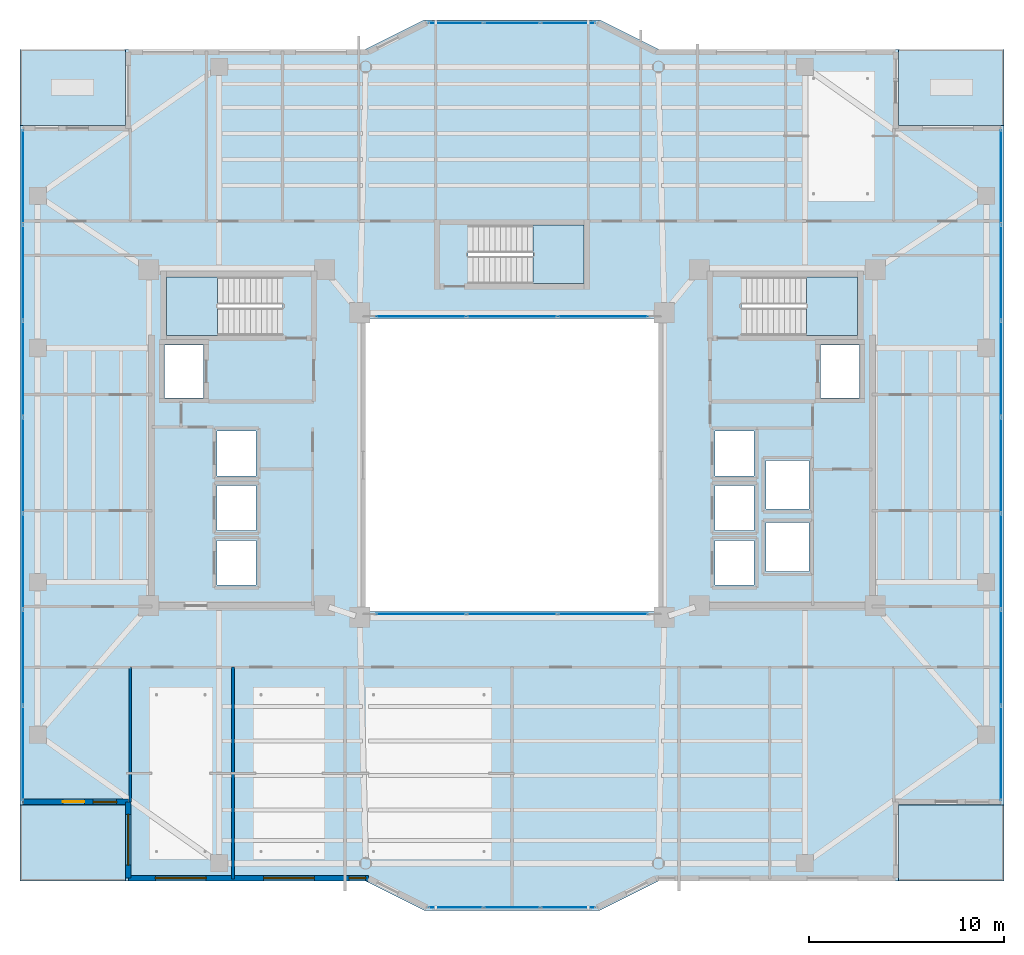
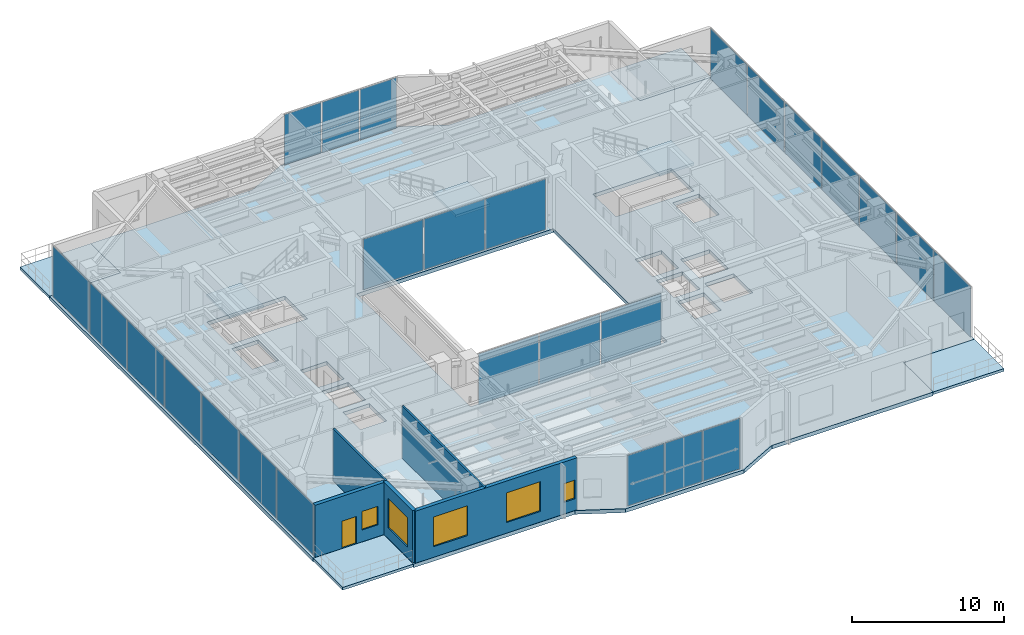
# One storey, part 22 of 33: 26 plates, 8 slabs, 5 walls, 5 windows, 1 door, 6 openings, 9 elements without a shape of their own.
"""IFC4 building model written with IfcOpenShell, lengths in metres."""

from ifc_helpers import new_model, si_unit, direction, frame, frame_2d, origin, origin_2d, place, context, subcontext, project, spatial, polyline, rectangle, outline, extrude, material, layer, layer_set, type_object, element, fill, aggregate, save


model = new_model("IFC4")

# Units and contexts
model_context = context("Model", 3, precision=1e-05, world=origin(), true_north=direction((0.0, 1.0)))
body_context = subcontext(model_context, "Body", "Model", "MODEL_VIEW")
ifc_project = project(units=[si_unit("LENGTHUNIT", "METRE"), si_unit("AREAUNIT", "SQUARE_METRE"), si_unit("VOLUMEUNIT", "CUBIC_METRE"), si_unit("PLANEANGLEUNIT", "RADIAN"), si_unit("MASSUNIT", "GRAM", prefix="KILO")], contexts=[model_context])

# Site, building, storey
site_placement = place(None, origin())
site = spatial("IfcSite", under=ifc_project, at=site_placement, CompositionType="ELEMENT")
building_placement = place(site_placement, origin())
building = spatial("IfcBuilding", under=site, at=building_placement, Name="Tarnavaz Court Tower", CompositionType="ELEMENT")
storey_placement = place(building_placement, frame((0.0, 0.0, 177.300048828125)))
storey = spatial("IfcBuildingStorey", under=building, at=storey_placement, Name="L48", CompositionType="ELEMENT", Elevation=177.300048828125)

# Curtain wall, plates
ifc_material_1 = material(Name="Anodised Aluminium 6063-T6 and Solar Low-E Glazing", Category="aluminium")
ifc_layer_1 = layer(ifc_material_1, 0.139892578125)
ifc_layer_set_1 = layer_set([ifc_layer_1], Name="Anodised Aluminium 6063-T6 and Solar Low-E Glazing")
curtain_wall_type_1 = type_object("IfcCurtainWallType", Name="CW-SYS-04", PredefinedType="NOTDEFINED", material=ifc_layer_set_1)
curtain_wall_1_placement = place(storey_placement, origin())
curtain_wall_1 = element("IfcCurtainWall", 1, at=curtain_wall_1_placement, inside=storey, type_object=curtain_wall_type_1, Name="L48 Badgir Courtyard Curtain Wall S", PredefinedType="NOTDEFINED")
ifc_material_2 = material(Name="Double-Glazed Solar Low-E Glass", Category="glass")
ifc_layer_2 = layer(ifc_material_2, 0.028076171875)
ifc_layer_set_2 = layer_set([ifc_layer_2], Name="Double-Glazed Solar Low-E Glass")
plate_type = type_object("IfcPlateType", Name="CW-PAN-GLZ28", PredefinedType="CURTAIN_PANEL", material=ifc_layer_set_2)
plate_1_placement = place(storey_placement, frame((-4.6611328125, -7.6201171875, 0.06494140625), z_axis=(0.0, 0.0, 1.0), x_axis=(1.0, 0.0, 0.0)))
plate_1 = element("IfcPlate", 2, at=plate_1_placement, type_object=plate_type, Name="CW panel 1.1", PredefinedType="CURTAIN_PANEL", context=body_context, shape_type="SweptSolid", body=[
    extrude(rectangle(XDim=4.5673828125, YDim=0.028076171875, at=origin_2d()), origin(), (0.0, 0.0, 1.0), 4.070068359375),
])
plate_2_placement = place(storey_placement, frame((0.0, -7.6201171875, 0.06494140625), z_axis=(0.0, 0.0, 1.0), x_axis=(1.0, 0.0, 0.0)))
plate_2 = element("IfcPlate", 3, at=plate_2_placement, type_object=plate_type, Name="CW panel 2.1", PredefinedType="CURTAIN_PANEL", context=body_context, shape_type="SweptSolid", body=[
    extrude(rectangle(XDim=4.60498046875, YDim=0.028076171875, at=origin_2d()), origin(), (0.0, 0.0, 1.0), 4.070068359375),
])
plate_3_placement = place(storey_placement, frame((4.6611328125, -7.6201171875, 0.06494140625), z_axis=(0.0, 0.0, 1.0), x_axis=(1.0, 0.0, 0.0)))
plate_3 = element("IfcPlate", 4, at=plate_3_placement, type_object=plate_type, Name="CW panel 3.1", PredefinedType="CURTAIN_PANEL", context=body_context, shape_type="SweptSolid", body=[
    extrude(rectangle(XDim=4.5673828125, YDim=0.028076171875, at=origin_2d()), origin(), (0.0, 0.0, 1.0), 4.070068359375),
])
aggregate(curtain_wall_1, [plate_1, plate_2, plate_3])

curtain_wall_2_placement = place(storey_placement, origin())
curtain_wall_2 = element("IfcCurtainWall", 5, at=curtain_wall_2_placement, inside=storey, type_object=curtain_wall_type_1, Name="L48 Badgir Courtyard Curtain Wall N", PredefinedType="NOTDEFINED")
plate_4_placement = place(storey_placement, frame((4.6611328125, 7.6201171875, 0.06494140625), z_axis=(0.0, 0.0, 1.0), x_axis=(-1.0, 0.0, 0.0)))
plate_4 = element("IfcPlate", 6, at=plate_4_placement, type_object=plate_type, Name="CW panel 1.1", PredefinedType="CURTAIN_PANEL", context=body_context, shape_type="SweptSolid", body=[
    extrude(rectangle(XDim=4.5673828125, YDim=0.028076171875, at=origin_2d()), origin(), (0.0, 0.0, 1.0), 4.070068359375),
])
plate_5_placement = place(storey_placement, frame((0.0, 7.6201171875, 0.06494140625), z_axis=(0.0, 0.0, 1.0), x_axis=(-1.0, 0.0, 0.0)))
plate_5 = element("IfcPlate", 7, at=plate_5_placement, type_object=plate_type, Name="CW panel 2.1", PredefinedType="CURTAIN_PANEL", context=body_context, shape_type="SweptSolid", body=[
    extrude(rectangle(XDim=4.60498046875, YDim=0.028076171875, at=origin_2d()), origin(), (0.0, 0.0, 1.0), 4.070068359375),
])
plate_6_placement = place(storey_placement, frame((-4.6611328125, 7.6201171875, 0.06494140625), z_axis=(0.0, 0.0, 1.0), x_axis=(-1.0, 0.0, 0.0)))
plate_6 = element("IfcPlate", 8, at=plate_6_placement, type_object=plate_type, Name="CW panel 3.1", PredefinedType="CURTAIN_PANEL", context=body_context, shape_type="SweptSolid", body=[
    extrude(rectangle(XDim=4.5673828125, YDim=0.028076171875, at=origin_2d()), origin(), (0.0, 0.0, 1.0), 4.070068359375),
])
aggregate(curtain_wall_2, [plate_4, plate_5, plate_6])

ifc_layer_3 = layer(ifc_material_1, 0.199951171875)
ifc_layer_set_3 = layer_set([ifc_layer_3], Name="Anodised Aluminium 6063-T6 and Solar Low-E Glazing")
curtain_wall_type_2 = type_object("IfcCurtainWallType", Name="CW-SYS-05", PredefinedType="NOTDEFINED", material=ifc_layer_set_3)
curtain_wall_3_placement = place(storey_placement, origin())
curtain_wall_3 = element("IfcCurtainWall", 9, at=curtain_wall_3_placement, inside=storey, type_object=curtain_wall_type_2, Name="L48 Sky-Portal Curtain Wall 2", PredefinedType="NOTDEFINED")
plate_7_placement = place(storey_placement, frame((-25.050048828125, -14.764404296875, 0.06494140625), z_axis=(0.0, 0.0, 1.0), x_axis=(0.0, 1.0, 0.0)))
plate_7 = element("IfcPlate", 10, at=plate_7_placement, type_object=plate_type, Name="CW panel 1.1", PredefinedType="CURTAIN_PANEL", context=body_context, shape_type="SweptSolid", body=[
    extrude(rectangle(XDim=4.801025390625, YDim=0.028076171875, at=origin_2d()), origin(), (0.0, 0.0, 1.0), 4.070068359375),
])
plate_8_placement = place(storey_placement, frame((-25.050048828125, -9.857177734375, 0.06494140625), z_axis=(0.0, 0.0, 1.0), x_axis=(0.0, 1.0, 0.0)))
plate_8 = element("IfcPlate", 11, at=plate_8_placement, type_object=plate_type, Name="CW panel 2.1", PredefinedType="CURTAIN_PANEL", context=body_context, shape_type="SweptSolid", body=[
    extrude(rectangle(XDim=4.843505859375, YDim=0.028076171875, at=origin_2d()), origin(), (0.0, 0.0, 1.0), 4.070068359375),
])
plate_9_placement = place(storey_placement, frame((-25.050048828125, -4.928466796875, 0.06494140625), z_axis=(0.0, 0.0, 1.0), x_axis=(0.0, 1.0, 0.0)))
plate_9 = element("IfcPlate", 12, at=plate_9_placement, type_object=plate_type, Name="CW panel 3.1", PredefinedType="CURTAIN_PANEL", context=body_context, shape_type="SweptSolid", body=[
    extrude(rectangle(XDim=4.843505859375, YDim=0.028076171875, at=origin_2d()), origin(), (0.0, 0.0, 1.0), 4.070068359375),
])
plate_10_placement = place(storey_placement, frame((-25.050048828125, 0.0, 0.06494140625), z_axis=(0.0, 0.0, 1.0), x_axis=(0.0, 1.0, 0.0)))
plate_10 = element("IfcPlate", 13, at=plate_10_placement, type_object=plate_type, Name="CW panel 4.1", PredefinedType="CURTAIN_PANEL", context=body_context, shape_type="SweptSolid", body=[
    extrude(rectangle(XDim=4.843505859375, YDim=0.028076171875, at=origin_2d()), origin(), (0.0, 0.0, 1.0), 4.070068359375),
])
plate_11_placement = place(storey_placement, frame((-25.050048828125, 4.928466796875, 0.06494140625), z_axis=(0.0, 0.0, 1.0), x_axis=(0.0, 1.0, 0.0)))
plate_11 = element("IfcPlate", 14, at=plate_11_placement, type_object=plate_type, Name="CW panel 5.1", PredefinedType="CURTAIN_PANEL", context=body_context, shape_type="SweptSolid", body=[
    extrude(rectangle(XDim=4.843505859375, YDim=0.028076171875, at=origin_2d()), origin(), (0.0, 0.0, 1.0), 4.070068359375),
])
plate_12_placement = place(storey_placement, frame((-25.050048828125, 9.857177734375, 0.06494140625), z_axis=(0.0, 0.0, 1.0), x_axis=(0.0, 1.0, 0.0)))
plate_12 = element("IfcPlate", 15, at=plate_12_placement, type_object=plate_type, Name="CW panel 6.1", PredefinedType="CURTAIN_PANEL", context=body_context, shape_type="SweptSolid", body=[
    extrude(rectangle(XDim=4.843505859375, YDim=0.028076171875, at=origin_2d()), origin(), (0.0, 0.0, 1.0), 4.070068359375),
])
plate_13_placement = place(storey_placement, frame((-25.050048828125, 14.764404296875, 0.06494140625), z_axis=(0.0, 0.0, 1.0), x_axis=(0.0, 1.0, 0.0)))
plate_13 = element("IfcPlate", 16, at=plate_13_placement, type_object=plate_type, Name="CW panel 7.1", PredefinedType="CURTAIN_PANEL", context=body_context, shape_type="SweptSolid", body=[
    extrude(rectangle(XDim=4.801025390625, YDim=0.028076171875, at=origin_2d()), origin(), (0.0, 0.0, 1.0), 4.070068359375),
])
aggregate(curtain_wall_3, [plate_7, plate_8, plate_9, plate_10, plate_11, plate_12, plate_13])

ifc_layer_4 = layer(ifc_material_1, 0.159912109375)
ifc_layer_set_4 = layer_set([ifc_layer_4], Name="Anodised Aluminium 6063-T6 and Solar Low-E Glazing")
curtain_wall_type_3 = type_object("IfcCurtainWallType", Name="CW-SYS-03", PredefinedType="NOTDEFINED", material=ifc_layer_set_4)
curtain_wall_4_placement = place(storey_placement, origin())
curtain_wall_4 = element("IfcCurtainWall", 17, at=curtain_wall_4_placement, inside=storey, type_object=curtain_wall_type_3, Name="L48 Iwan Prow Curtain Wall 7", PredefinedType="NOTDEFINED")
plate_14_placement = place(storey_placement, frame((-2.88134765625, 22.64990234375, 0.06494140625), z_axis=(0.0, 0.0, 1.0), x_axis=(1.0, 0.0, 0.0)))
plate_14 = element("IfcPlate", 18, at=plate_14_placement, type_object=plate_type, Name="CW panel 1.1", PredefinedType="CURTAIN_PANEL", context=body_context, shape_type="SweptSolid", body=[
    extrude(rectangle(XDim=2.78759765625, YDim=0.028076171875, at=origin_2d()), origin(), (0.0, 0.0, 1.0), 4.070068359375),
])
plate_15_placement = place(storey_placement, frame((0.0, 22.64990234375, 0.06494140625), z_axis=(0.0, 0.0, 1.0), x_axis=(1.0, 0.0, 0.0)))
plate_15 = element("IfcPlate", 19, at=plate_15_placement, type_object=plate_type, Name="CW panel 2.1", PredefinedType="CURTAIN_PANEL", context=body_context, shape_type="SweptSolid", body=[
    extrude(rectangle(XDim=2.824951171875, YDim=0.028076171875, at=origin_2d()), origin(), (0.0, 0.0, 1.0), 4.070068359375),
])
plate_16_placement = place(storey_placement, frame((2.88134765625, 22.64990234375, 0.06494140625), z_axis=(0.0, 0.0, 1.0), x_axis=(1.0, 0.0, 0.0)))
plate_16 = element("IfcPlate", 20, at=plate_16_placement, type_object=plate_type, Name="CW panel 3.1", PredefinedType="CURTAIN_PANEL", context=body_context, shape_type="SweptSolid", body=[
    extrude(rectangle(XDim=2.78759765625, YDim=0.028076171875, at=origin_2d()), origin(), (0.0, 0.0, 1.0), 4.070068359375),
])
aggregate(curtain_wall_4, [plate_14, plate_15, plate_16])

curtain_wall_5_placement = place(storey_placement, origin())
curtain_wall_5 = element("IfcCurtainWall", 21, at=curtain_wall_5_placement, inside=storey, type_object=curtain_wall_type_2, Name="L48 Sky-Portal Curtain Wall 12", PredefinedType="NOTDEFINED")
plate_17_placement = place(storey_placement, frame((25.050048828125, 14.764404296875, 0.06494140625), z_axis=(0.0, 0.0, 1.0), x_axis=(0.0, -1.0, 0.0)))
plate_17 = element("IfcPlate", 22, at=plate_17_placement, type_object=plate_type, Name="CW panel 1.1", PredefinedType="CURTAIN_PANEL", context=body_context, shape_type="SweptSolid", body=[
    extrude(rectangle(XDim=4.801025390625, YDim=0.028076171875, at=origin_2d()), origin(), (0.0, 0.0, 1.0), 4.070068359375),
])
plate_18_placement = place(storey_placement, frame((25.050048828125, 9.857177734375, 0.06494140625), z_axis=(0.0, 0.0, 1.0), x_axis=(0.0, -1.0, 0.0)))
plate_18 = element("IfcPlate", 23, at=plate_18_placement, type_object=plate_type, Name="CW panel 2.1", PredefinedType="CURTAIN_PANEL", context=body_context, shape_type="SweptSolid", body=[
    extrude(rectangle(XDim=4.843505859375, YDim=0.028076171875, at=origin_2d()), origin(), (0.0, 0.0, 1.0), 4.070068359375),
])
plate_19_placement = place(storey_placement, frame((25.050048828125, 4.928466796875, 0.06494140625), z_axis=(0.0, 0.0, 1.0), x_axis=(0.0, -1.0, 0.0)))
plate_19 = element("IfcPlate", 24, at=plate_19_placement, type_object=plate_type, Name="CW panel 3.1", PredefinedType="CURTAIN_PANEL", context=body_context, shape_type="SweptSolid", body=[
    extrude(rectangle(XDim=4.843505859375, YDim=0.028076171875, at=origin_2d()), origin(), (0.0, 0.0, 1.0), 4.070068359375),
])
plate_20_placement = place(storey_placement, frame((25.050048828125, 0.0, 0.06494140625), z_axis=(0.0, 0.0, 1.0), x_axis=(0.0, -1.0, 0.0)))
plate_20 = element("IfcPlate", 25, at=plate_20_placement, type_object=plate_type, Name="CW panel 4.1", PredefinedType="CURTAIN_PANEL", context=body_context, shape_type="SweptSolid", body=[
    extrude(rectangle(XDim=4.843505859375, YDim=0.028076171875, at=origin_2d()), origin(), (0.0, 0.0, 1.0), 4.070068359375),
])
plate_21_placement = place(storey_placement, frame((25.050048828125, -4.928466796875, 0.06494140625), z_axis=(0.0, 0.0, 1.0), x_axis=(0.0, -1.0, 0.0)))
plate_21 = element("IfcPlate", 26, at=plate_21_placement, type_object=plate_type, Name="CW panel 5.1", PredefinedType="CURTAIN_PANEL", context=body_context, shape_type="SweptSolid", body=[
    extrude(rectangle(XDim=4.843505859375, YDim=0.028076171875, at=origin_2d()), origin(), (0.0, 0.0, 1.0), 4.070068359375),
])
plate_22_placement = place(storey_placement, frame((25.050048828125, -9.857177734375, 0.06494140625), z_axis=(0.0, 0.0, 1.0), x_axis=(0.0, -1.0, 0.0)))
plate_22 = element("IfcPlate", 27, at=plate_22_placement, type_object=plate_type, Name="CW panel 6.1", PredefinedType="CURTAIN_PANEL", context=body_context, shape_type="SweptSolid", body=[
    extrude(rectangle(XDim=4.843505859375, YDim=0.028076171875, at=origin_2d()), origin(), (0.0, 0.0, 1.0), 4.070068359375),
])
plate_23_placement = place(storey_placement, frame((25.050048828125, -14.764404296875, 0.06494140625), z_axis=(0.0, 0.0, 1.0), x_axis=(0.0, -1.0, 0.0)))
plate_23 = element("IfcPlate", 28, at=plate_23_placement, type_object=plate_type, Name="CW panel 7.1", PredefinedType="CURTAIN_PANEL", context=body_context, shape_type="SweptSolid", body=[
    extrude(rectangle(XDim=4.801025390625, YDim=0.028076171875, at=origin_2d()), origin(), (0.0, 0.0, 1.0), 4.070068359375),
])
aggregate(curtain_wall_5, [plate_17, plate_18, plate_19, plate_20, plate_21, plate_22, plate_23])

curtain_wall_6_placement = place(storey_placement, origin())
curtain_wall_6 = element("IfcCurtainWall", 29, at=curtain_wall_6_placement, inside=storey, type_object=curtain_wall_type_3, Name="L48 Iwan Prow Curtain Wall 17", PredefinedType="NOTDEFINED")
plate_24_placement = place(storey_placement, frame((2.88134765625, -22.64990234375, 0.06494140625), z_axis=(0.0, 0.0, 1.0), x_axis=(-1.0, 0.0, 0.0)))
plate_24 = element("IfcPlate", 30, at=plate_24_placement, type_object=plate_type, Name="CW panel 1.1", PredefinedType="CURTAIN_PANEL", context=body_context, shape_type="SweptSolid", body=[
    extrude(rectangle(XDim=2.78759765625, YDim=0.028076171875, at=origin_2d()), origin(), (0.0, 0.0, 1.0), 4.070068359375),
])
plate_25_placement = place(storey_placement, frame((0.0, -22.64990234375, 0.06494140625), z_axis=(0.0, 0.0, 1.0), x_axis=(-1.0, 0.0, 0.0)))
plate_25 = element("IfcPlate", 31, at=plate_25_placement, type_object=plate_type, Name="CW panel 2.1", PredefinedType="CURTAIN_PANEL", context=body_context, shape_type="SweptSolid", body=[
    extrude(rectangle(XDim=2.824951171875, YDim=0.028076171875, at=origin_2d()), origin(), (0.0, 0.0, 1.0), 4.070068359375),
])
plate_26_placement = place(storey_placement, frame((-2.88134765625, -22.64990234375, 0.06494140625), z_axis=(0.0, 0.0, 1.0), x_axis=(-1.0, 0.0, 0.0)))
plate_26 = element("IfcPlate", 32, at=plate_26_placement, type_object=plate_type, Name="CW panel 3.1", PredefinedType="CURTAIN_PANEL", context=body_context, shape_type="SweptSolid", body=[
    extrude(rectangle(XDim=2.78759765625, YDim=0.028076171875, at=origin_2d()), origin(), (0.0, 0.0, 1.0), 4.070068359375),
])
aggregate(curtain_wall_6, [plate_24, plate_25, plate_26])

# Stair, slab
ifc_material_3 = material(Name="Concrete C40/50", Category="concrete")
stair_type = type_object("IfcStairType", Name="ST-TWR-26R", PredefinedType="HALF_TURN_STAIR", material=ifc_material_3)
stair_1_placement = place(storey_placement, origin())
stair_1 = element("IfcStair", 33, at=stair_1_placement, inside=storey, type_object=stair_type, Name="L48 West Core Pressurized Exit Stair ST-W1", PredefinedType="HALF_TURN_STAIR")
ifc_layer_5 = layer(ifc_material_3, 0.199951171875)
ifc_layer_set_5 = layer_set([ifc_layer_5], Name="Concrete C40/50")
slab_type_1 = type_object("IfcSlabType", Name="SL-LAND-200", PredefinedType="LANDING", material=ifc_layer_set_5)
slab_1_placement = place(storey_placement, frame((0.0, 0.0, 2.050048828125)))
slab_1 = element("IfcSlab", 34, at=slab_1_placement, type_object=slab_type_1, Name="ST-W1 landing 1", PredefinedType="LANDING", context=body_context, shape_type="SweptSolid", body=[
    extrude(outline(polyline([(-15.080078125, 9.639892578125), (-17.699951171875, 9.639892578125), (-17.699951171875, 6.64990234375), (-15.080078125, 6.64990234375), (-15.080078125, 9.639892578125)])), origin(), (0.0, 0.0, 1.0), 0.199951171875),
])
aggregate(stair_1, [slab_1])

stair_2_placement = place(storey_placement, origin())
stair_2 = element("IfcStair", 35, at=stair_2_placement, inside=storey, type_object=stair_type, Name="L48 East Core Pressurized Exit Stair ST-E1", PredefinedType="HALF_TURN_STAIR")
slab_2_placement = place(storey_placement, frame((0.0, 0.0, 2.050048828125)))
slab_2 = element("IfcSlab", 36, at=slab_2_placement, type_object=slab_type_1, Name="ST-E1 landing 1", PredefinedType="LANDING", context=body_context, shape_type="SweptSolid", body=[
    extrude(outline(polyline([(15.080078125, 6.64990234375), (17.699951171875, 6.64990234375), (17.699951171875, 9.639892578125), (15.080078125, 9.639892578125), (15.080078125, 6.64990234375)])), origin(), (0.0, 0.0, 1.0), 0.199951171875),
])
aggregate(stair_2, [slab_2])

stair_3_placement = place(storey_placement, origin())
stair_3 = element("IfcStair", 37, at=stair_3_placement, inside=storey, type_object=stair_type, Name="L48 North Ring Pressurized Exit Stair ST-N1", PredefinedType="HALF_TURN_STAIR")
slab_3_placement = place(storey_placement, frame((0.0, 0.0, 2.050048828125)))
slab_3 = element("IfcSlab", 38, at=slab_3_placement, type_object=slab_type_1, Name="ST-N1 landing 1", PredefinedType="LANDING", context=body_context, shape_type="SweptSolid", body=[
    extrude(outline(polyline([(1.080078125, 9.300048828125), (3.699951171875, 9.300048828125), (3.699951171875, 12.2900390625), (1.080078125, 12.2900390625), (1.080078125, 9.300048828125)])), origin(), (0.0, 0.0, 1.0), 0.199951171875),
])
aggregate(stair_3, [slab_3])

# Slabs
ifc_layer_6 = layer(ifc_material_3, 0.300048828125)
ifc_layer_set_6 = layer_set([ifc_layer_6], Name="Concrete C40/50")
slab_type_2 = type_object("IfcSlabType", Name="SL-POD-300", PredefinedType="FLOOR", material=ifc_layer_set_6)
slab_4_placement = place(storey_placement, frame((0.0, 0.0, -0.300048828125)))
element("IfcSlab", 39, at=slab_4_placement, inside=storey, type_object=slab_type_2, Name="L48 Structural Floor Slab", PredefinedType="FLOOR", context=body_context, shape_type="SweptSolid", body=[
    extrude(outline(polyline([(-19.800048828125, -21.300048828125), (-7.5, -21.300048828125), (-4.5, -22.800048828125), (4.5, -22.800048828125), (7.5, -21.300048828125), (19.800048828125, -21.300048828125), (19.800048828125, -17.39990234375), (25.199951171875, -17.39990234375), (25.199951171875, 17.39990234375), (19.800048828125, 17.39990234375), (19.800048828125, 21.300048828125), (7.5, 21.300048828125), (4.5, 22.800048828125), (-4.5, 22.800048828125), (-7.5, 21.300048828125), (-19.800048828125, 21.300048828125), (-19.800048828125, 17.39990234375), (-25.199951171875, 17.39990234375), (-25.199951171875, -17.39990234375), (-19.800048828125, -17.39990234375), (-19.800048828125, -21.300048828125)]), holes=[polyline([(-7.5, -7.5), (7.5, -7.5), (7.5, 7.5), (-7.5, 7.5), (-7.5, -7.5)]), polyline([(-11.7451171875, 9.639892578125), (-17.699951171875, 9.639892578125), (-17.699951171875, 6.64990234375), (-11.7451171875, 6.64990234375), (-11.7451171875, 9.639892578125)]), polyline([(11.7451171875, 6.64990234375), (17.699951171875, 6.64990234375), (17.699951171875, 9.639892578125), (11.7451171875, 9.639892578125), (11.7451171875, 6.64990234375)]), polyline([(-2.2548828125, 9.300048828125), (3.699951171875, 9.300048828125), (3.699951171875, 12.2900390625), (-2.2548828125, 12.2900390625), (-2.2548828125, 9.300048828125)]), polyline([(-17.800048828125, 3.449951171875), (-15.800048828125, 3.449951171875), (-15.800048828125, 6.14990234375), (-17.800048828125, 6.14990234375), (-17.800048828125, 3.449951171875)]), polyline([(-15.10009765625, -6.14990234375), (-13.10009765625, -6.14990234375), (-13.10009765625, -3.85009765625), (-15.10009765625, -3.85009765625), (-15.10009765625, -6.14990234375)]), polyline([(-15.10009765625, -3.35009765625), (-13.10009765625, -3.35009765625), (-13.10009765625, -1.050048828125), (-15.10009765625, -1.050048828125), (-15.10009765625, -3.35009765625)]), polyline([(-15.10009765625, -0.550048828125), (-13.10009765625, -0.550048828125), (-13.10009765625, 1.75), (-15.10009765625, 1.75), (-15.10009765625, -0.550048828125)]), polyline([(15.800048828125, 3.449951171875), (17.800048828125, 3.449951171875), (17.800048828125, 6.14990234375), (15.800048828125, 6.14990234375), (15.800048828125, 3.449951171875)]), polyline([(10.39990234375, -6.14990234375), (12.39990234375, -6.14990234375), (12.39990234375, -3.85009765625), (10.39990234375, -3.85009765625), (10.39990234375, -6.14990234375)]), polyline([(10.39990234375, -3.35009765625), (12.39990234375, -3.35009765625), (12.39990234375, -1.050048828125), (10.39990234375, -1.050048828125), (10.39990234375, -3.35009765625)]), polyline([(10.39990234375, -0.550048828125), (12.39990234375, -0.550048828125), (12.39990234375, 1.75), (10.39990234375, 1.75), (10.39990234375, -0.550048828125)]), polyline([(13.0, -5.449951171875), (15.199951171875, -5.449951171875), (15.199951171875, -2.949951171875), (13.0, -2.949951171875), (13.0, -5.449951171875)]), polyline([(13.0, -2.25), (15.199951171875, -2.25), (15.199951171875, 0.25), (13.0, 0.25), (13.0, -2.25)])]), origin(), (0.0, 0.0, 1.0), 0.300048828125),
])
ifc_layer_7 = layer(ifc_material_3, 0.219970703125)
ifc_layer_set_7 = layer_set([ifc_layer_7], Name="Concrete C40/50")
slab_type_3 = type_object("IfcSlabType", Name="SL-TERR-220", PredefinedType="FLOOR", material=ifc_layer_set_7)
slab_5_placement = place(storey_placement, frame((0.0, 0.0, -0.219970703125)))
element("IfcSlab", 40, at=slab_5_placement, inside=storey, type_object=slab_type_3, Name="L48 NE Planted Sky Terrace", PredefinedType="FLOOR", context=body_context, shape_type="SweptSolid", body=[
    extrude(outline(polyline([(19.800048828125, 17.39990234375), (25.199951171875, 17.39990234375), (25.199951171875, 21.300048828125), (19.800048828125, 21.300048828125), (19.800048828125, 17.39990234375)])), origin(), (0.0, 0.0, 1.0), 0.219970703125),
])
slab_6_placement = place(storey_placement, frame((0.0, 0.0, -0.219970703125)))
element("IfcSlab", 41, at=slab_6_placement, inside=storey, type_object=slab_type_3, Name="L48 NW Planted Sky Terrace", PredefinedType="FLOOR", context=body_context, shape_type="SweptSolid", body=[
    extrude(outline(polyline([(-25.199951171875, 17.39990234375), (-19.800048828125, 17.39990234375), (-19.800048828125, 21.300048828125), (-25.199951171875, 21.300048828125), (-25.199951171875, 17.39990234375)])), origin(), (0.0, 0.0, 1.0), 0.219970703125),
])
slab_7_placement = place(storey_placement, frame((0.0, 0.0, -0.219970703125)))
element("IfcSlab", 42, at=slab_7_placement, inside=storey, type_object=slab_type_3, Name="L48 SE Planted Sky Terrace", PredefinedType="FLOOR", context=body_context, shape_type="SweptSolid", body=[
    extrude(outline(polyline([(19.800048828125, -21.300048828125), (25.199951171875, -21.300048828125), (25.199951171875, -17.39990234375), (19.800048828125, -17.39990234375), (19.800048828125, -21.300048828125)])), origin(), (0.0, 0.0, 1.0), 0.219970703125),
])
slab_8_placement = place(storey_placement, frame((0.0, 0.0, -0.219970703125)))
element("IfcSlab", 43, at=slab_8_placement, inside=storey, type_object=slab_type_3, Name="L48 SW Planted Sky Terrace", PredefinedType="FLOOR", context=body_context, shape_type="SweptSolid", body=[
    extrude(outline(polyline([(-25.199951171875, -21.300048828125), (-19.800048828125, -21.300048828125), (-19.800048828125, -17.39990234375), (-25.199951171875, -17.39990234375), (-25.199951171875, -21.300048828125)])), origin(), (0.0, 0.0, 1.0), 0.219970703125),
])

# Wall, openings, door, window
ifc_material_4 = material(Name="Precast Concrete C40/50", Category="concrete")
ifc_layer_8 = layer(ifc_material_4, 0.280029296875)
ifc_layer_set_8 = layer_set([ifc_layer_8], Name="Precast Concrete C40/50")
wall_type_1 = type_object("IfcWallType", Name="WL-EXT-280", PredefinedType="SOLIDWALL", material=ifc_layer_set_8)
wall_1_placement = place(storey_placement, frame((-19.64990234375, -17.25, 0.0), z_axis=(0.0, 0.0, 1.0), x_axis=(-1.0, 0.0, 0.0)))
wall_1 = element("IfcWall", 44, at=wall_1_placement, inside=storey, type_object=wall_type_1, Name="L48 Exterior Terracotta Facade Wall 01", PredefinedType="SOLIDWALL", context=body_context, shape_type="SweptSolid", body=[
    extrude(rectangle(XDim=5.400146484375, YDim=0.280029296875, at=frame_2d((2.7001953125, 0.0))), origin(), (0.0, 0.0, 1.0), 4.199951171875),
])
opening_1_placement = place(wall_1_placement, frame((2.25, 0.0, 0.0)))
opening_1 = element("IfcOpeningElement", 45, at=opening_1_placement, cuts=wall_1, Name="Opening TD1", PredefinedType="OPENING", context=body_context, shape_type="SweptSolid", body=[
    extrude(rectangle(XDim=1.10009765625, YDim=2.199951171875, at=frame_2d((0.550048828125, 1.10009765625))), frame((0.0, 0.14990234375, 0.0), z_axis=(0.0, -1.0, 0.0), x_axis=(1.0, 0.0, 0.0)), (0.0, 0.0, 1.0), 0.300048828125),
])
opening_2_placement = place(wall_1_placement, frame((0.60498046875, 0.0, 0.949951171875)))
opening_2 = element("IfcOpeningElement", 46, at=opening_2_placement, cuts=wall_1, Name="Opening W05", PredefinedType="OPENING", context=body_context, shape_type="SweptSolid", body=[
    extrude(rectangle(XDim=1.199951171875, YDim=1.5, at=frame_2d((0.60009765625, 0.75))), frame((0.0, 0.14990234375, 0.0), z_axis=(0.0, -1.0, 0.0), x_axis=(1.0, 0.0, 0.0)), (0.0, 0.0, 1.0), 0.300048828125),
])
ifc_material_5 = material(Name="Thermally Broken Aluminium and Laminated Glass", Category="aluminium")
door_type = type_object("IfcDoorType", Name="DR-TERR-1100", OperationType="NOTDEFINED", PredefinedType="DOOR", material=ifc_material_5)
door_placement = place(opening_1_placement, origin())
door = element("IfcDoor", 47, at=door_placement, inside=storey, type_object=door_type, Name="L48 Sky Terrace Access Door 4", OperationType="SINGLE_SWING_RIGHT", OverallHeight=2.199951171875, OverallWidth=1.10009765625, PredefinedType="DOOR", context=body_context, shape_type="SweptSolid", body=[
    extrude(rectangle(XDim=1.10009765625, YDim=2.199951171875, at=frame_2d((0.550048828125, 1.10009765625))), frame((0.0, 0.02490234375, 0.0), z_axis=(0.0, -1.0, 0.0), x_axis=(1.0, 0.0, 0.0)), (0.0, 0.0, 1.0), 0.050048828125),
])
fill(opening_1, door)
window_type_1 = type_object("IfcWindowType", Name="WN-APT-1200", PartitioningType="SINGLE_PANEL", PredefinedType="WINDOW", material=ifc_material_2)
window_1_placement = place(opening_2_placement, origin())
window_1 = element("IfcWindow", 48, at=window_1_placement, inside=storey, type_object=window_type_1, Name="L48 L48 SW Terrace Salon Window", OverallHeight=1.5, OverallWidth=1.199951171875, PartitioningType="SINGLE_PANEL", PredefinedType="WINDOW", context=body_context, shape_type="SweptSolid", body=[
    extrude(rectangle(XDim=1.199951171875, YDim=1.5, at=frame_2d((0.60009765625, 0.75))), frame((0.0, 0.030029296875, 0.0), z_axis=(0.0, -1.0, 0.0), x_axis=(1.0, 0.0, 0.0)), (0.0, 0.0, 1.0), 0.06005859375),
])
fill(opening_2, window_1)

# Wall, openings, windows
wall_2_placement = place(storey_placement, frame((-7.35009765625, -21.14990234375, 0.0), z_axis=(0.0, 0.0, 1.0), x_axis=(-1.0, 0.0, 0.0)))
wall_2 = element("IfcWall", 49, at=wall_2_placement, inside=storey, type_object=wall_type_1, Name="L48 Exterior Terracotta Facade Wall 19", PredefinedType="SOLIDWALL", context=body_context, shape_type="SweptSolid", body=[
    extrude(rectangle(XDim=12.2998046875, YDim=0.280029296875, at=frame_2d((6.14990234375, 0.0))), origin(), (0.0, 0.0, 1.0), 4.199951171875),
])
opening_3_placement = place(wall_2_placement, frame((0.147216796875, 0.0, 0.949951171875)))
opening_3 = element("IfcOpeningElement", 50, at=opening_3_placement, cuts=wall_2, Name="Opening W15", PredefinedType="OPENING", context=body_context, shape_type="SweptSolid", body=[
    extrude(rectangle(XDim=0.85009765625, YDim=1.5, at=frame_2d((0.425048828125, 0.75))), frame((0.0, 0.14990234375, 0.0), z_axis=(0.0, -1.0, 0.0), x_axis=(1.0, 0.0, 0.0)), (0.0, 0.0, 1.0), 0.300048828125),
])
opening_4_placement = place(wall_2_placement, frame((2.7666015625, 0.0, 0.85009765625)))
opening_4 = element("IfcOpeningElement", 51, at=opening_4_placement, cuts=wall_2, Name="Opening W11", PredefinedType="OPENING", context=body_context, shape_type="SweptSolid", body=[
    extrude(rectangle(XDim=2.60009765625, YDim=2.39990234375, at=frame_2d((1.300048828125, 1.199951171875))), frame((0.0, 0.14990234375, 0.0), z_axis=(0.0, -1.0, 0.0), x_axis=(1.0, 0.0, 0.0)), (0.0, 0.0, 1.0), 0.300048828125),
])
opening_5_placement = place(wall_2_placement, frame((8.314208984375, 0.0, 0.85009765625)))
opening_5 = element("IfcOpeningElement", 52, at=opening_5_placement, cuts=wall_2, Name="Opening W11", PredefinedType="OPENING", context=body_context, shape_type="SweptSolid", body=[
    extrude(rectangle(XDim=2.60009765625, YDim=2.39990234375, at=frame_2d((1.300048828125, 1.199951171875))), frame((0.0, 0.14990234375, 0.0), z_axis=(0.0, -1.0, 0.0), x_axis=(1.0, 0.0, 0.0)), (0.0, 0.0, 1.0), 0.300048828125),
])
window_type_2 = type_object("IfcWindowType", Name="WN-APT-850", PartitioningType="SINGLE_PANEL", PredefinedType="WINDOW", material=ifc_material_2)
window_2_placement = place(opening_3_placement, origin())
window_2 = element("IfcWindow", 53, at=window_2_placement, inside=storey, type_object=window_type_2, Name="L48 L48 South-West Cultural Classroom Window", OverallHeight=1.5, OverallWidth=0.85009765625, PartitioningType="SINGLE_PANEL", PredefinedType="WINDOW", context=body_context, shape_type="SweptSolid", body=[
    extrude(rectangle(XDim=0.85009765625, YDim=1.5, at=frame_2d((0.425048828125, 0.75))), frame((0.0, 0.030029296875, 0.0), z_axis=(0.0, -1.0, 0.0), x_axis=(1.0, 0.0, 0.0)), (0.0, 0.0, 1.0), 0.06005859375),
])
fill(opening_3, window_2)
window_type_3 = type_object("IfcWindowType", Name="WN-COM-2600", PartitioningType="TRIPLE_PANEL_VERTICAL", PredefinedType="WINDOW", material=ifc_material_2)
window_3_placement = place(opening_4_placement, origin())
window_3 = element("IfcWindow", 54, at=window_3_placement, inside=storey, type_object=window_type_3, Name="L48 L48 South-West Study Room Window", OverallHeight=2.39990234375, OverallWidth=2.60009765625, PartitioningType="SINGLE_PANEL", PredefinedType="WINDOW", context=body_context, shape_type="SweptSolid", body=[
    extrude(rectangle(XDim=2.60009765625, YDim=2.39990234375, at=frame_2d((1.300048828125, 1.199951171875))), frame((0.0, 0.030029296875, 0.0), z_axis=(0.0, -1.0, 0.0), x_axis=(1.0, 0.0, 0.0)), (0.0, 0.0, 1.0), 0.06005859375),
])
fill(opening_4, window_3)
window_4_placement = place(opening_5_placement, origin())
window_4 = element("IfcWindow", 55, at=window_4_placement, inside=storey, type_object=window_type_3, Name="L48 Children Playroom Studio Window", OverallHeight=2.39990234375, OverallWidth=2.60009765625, PartitioningType="SINGLE_PANEL", PredefinedType="WINDOW", context=body_context, shape_type="SweptSolid", body=[
    extrude(rectangle(XDim=2.60009765625, YDim=2.39990234375, at=frame_2d((1.300048828125, 1.199951171875))), frame((0.0, 0.030029296875, 0.0), z_axis=(0.0, -1.0, 0.0), x_axis=(1.0, 0.0, 0.0)), (0.0, 0.0, 1.0), 0.06005859375),
])
fill(opening_5, window_4)

# Wall, opening, window
wall_3_placement = place(storey_placement, frame((-19.64990234375, -21.14990234375, 0.0), z_axis=(0.0, 0.0, 1.0), x_axis=(0.0, 1.0, 0.0)))
wall_3 = element("IfcWall", 56, at=wall_3_placement, inside=storey, type_object=wall_type_1, Name="L48 Exterior Terracotta Facade Wall 20", PredefinedType="SOLIDWALL", context=body_context, shape_type="SweptSolid", body=[
    extrude(rectangle(XDim=3.89990234375, YDim=0.280029296875, at=frame_2d((1.949951171875, 0.0))), origin(), (0.0, 0.0, 1.0), 4.199951171875),
])
opening_6_placement = place(wall_3_placement, frame((0.667724609375, 0.0, 0.85009765625)))
opening_6 = element("IfcOpeningElement", 57, at=opening_6_placement, cuts=wall_3, Name="Opening W11", PredefinedType="OPENING", context=body_context, shape_type="SweptSolid", body=[
    extrude(rectangle(XDim=2.60009765625, YDim=2.39990234375, at=frame_2d((1.300048828125, 1.199951171875))), frame((0.0, 0.14990234375, 0.0), z_axis=(0.0, -1.0, 0.0), x_axis=(1.0, 0.0, 0.0)), (0.0, 0.0, 1.0), 0.300048828125),
])
window_5_placement = place(opening_6_placement, origin())
window_5 = element("IfcWindow", 58, at=window_5_placement, inside=storey, type_object=window_type_3, Name="L48 Children Playroom Studio Window", OverallHeight=2.39990234375, OverallWidth=2.60009765625, PartitioningType="SINGLE_PANEL", PredefinedType="WINDOW", context=body_context, shape_type="SweptSolid", body=[
    extrude(rectangle(XDim=2.60009765625, YDim=2.39990234375, at=frame_2d((1.300048828125, 1.199951171875))), frame((0.0, 0.030029296875, 0.0), z_axis=(0.0, -1.0, 0.0), x_axis=(1.0, 0.0, 0.0)), (0.0, 0.0, 1.0), 0.06005859375),
])
fill(opening_6, window_5)

# Walls
ifc_material_6 = material(Name="Gypsum Plasterboard Acoustic Partition", Category="masonry")
ifc_layer_9 = layer(ifc_material_6, 0.139892578125)
ifc_layer_set_9 = layer_set([ifc_layer_9], Name="Gypsum Plasterboard Acoustic Partition")
wall_type_2 = type_object("IfcWallType", Name="WL-PART-150", PredefinedType="PARTITIONING", material=ifc_layer_set_9)
wall_4_placement = place(storey_placement, frame((-14.2939453125, -21.199951171875, 0.0), z_axis=(0.0, 0.0, 1.0), x_axis=(0.0, 1.0, 0.0)))
element("IfcWall", 59, at=wall_4_placement, inside=storey, type_object=wall_type_2, Name="L48 Interior Partition 081", PredefinedType="PARTITIONING", context=body_context, shape_type="SweptSolid", body=[
    extrude(rectangle(XDim=10.849853515625, YDim=0.139892578125, at=frame_2d((5.4248046875, 0.0))), origin(), (0.0, 0.0, 1.0), 4.199951171875),
])
wall_5_placement = place(storey_placement, frame((-19.550048828125, -17.25, 0.0), z_axis=(0.0, 0.0, 1.0), x_axis=(0.0, 1.0, 0.0)))
element("IfcWall", 60, at=wall_5_placement, inside=storey, type_object=wall_type_2, Name="L48 Interior Partition 091", PredefinedType="PARTITIONING", context=body_context, shape_type="SweptSolid", body=[
    extrude(rectangle(XDim=6.89990234375, YDim=0.139892578125, at=frame_2d((3.449951171875, 0.0))), origin(), (0.0, 0.0, 1.0), 4.199951171875),
])

save(model, "model.ifc")
